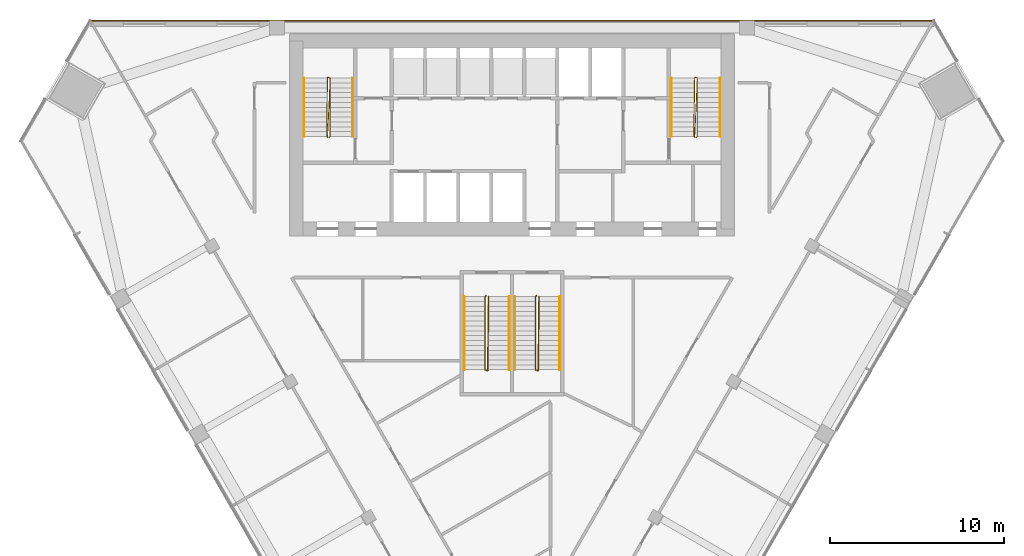
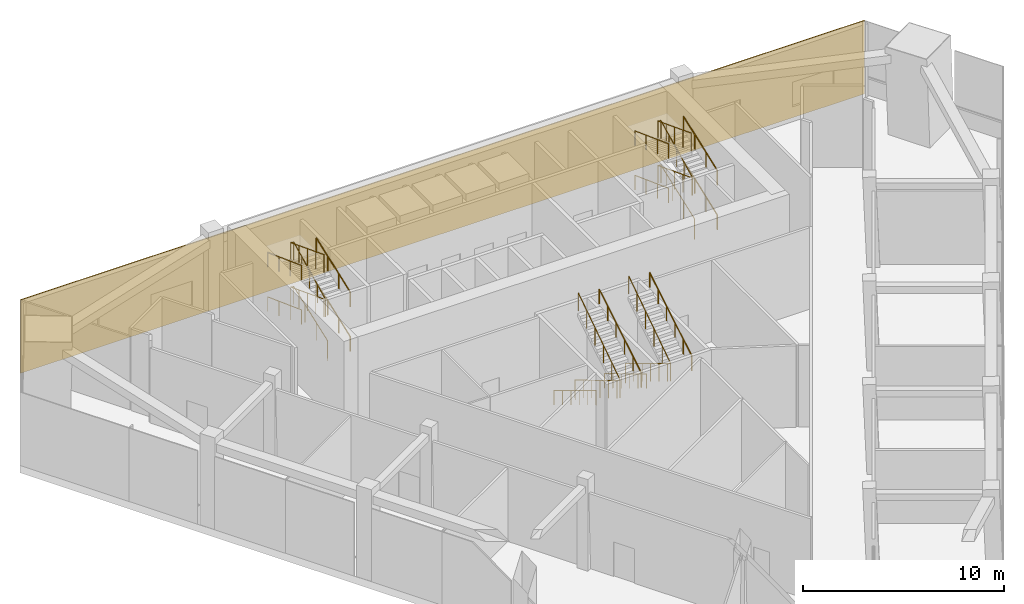
# One storey, part 11 of 12: 16 railings, 1 covering.
"""IFC4 building model written with IfcOpenShell, lengths in metres."""

from ifc_helpers import new_model, si_unit, direction, frame, frame_2d, origin, origin_2d, place, context, subcontext, project, spatial, rectangle, circle, extrude, material, layer, layer_set, type_object, element, save


model = new_model("IFC4")

# Units and contexts
model_context = context("Model", 3, precision=1e-05, world=origin(), true_north=direction((0.0, 1.0)))
body_context = subcontext(model_context, "Body", "Model", "MODEL_VIEW")
ifc_project = project(units=[si_unit("LENGTHUNIT", "METRE"), si_unit("AREAUNIT", "SQUARE_METRE"), si_unit("VOLUMEUNIT", "CUBIC_METRE"), si_unit("PLANEANGLEUNIT", "RADIAN"), si_unit("MASSUNIT", "GRAM", prefix="KILO")], contexts=[model_context])

# Site, building, storey
site_placement = place(None, origin())
site = spatial("IfcSite", under=ifc_project, at=site_placement, CompositionType="ELEMENT")
building_placement = place(site_placement, origin())
building = spatial("IfcBuilding", under=site, at=building_placement, Name="Altiplano Prism Tower", CompositionType="ELEMENT")
storey_placement = place(building_placement, frame((0.0, 0.0, 118.800048828125)))
storey = spatial("IfcBuildingStorey", under=building, at=storey_placement, Name="L30", CompositionType="ELEMENT", Elevation=118.800048828125)

# Railings
ifc_material_1 = material(Name="Steel S355", Category="steel")
railing_type_1 = type_object("IfcRailingType", Name="Stair guard 1100", PredefinedType="GUARDRAIL", material=ifc_material_1)
railing_1_placement = place(storey_placement, frame((74.5, 98.25, 0.0)))
element("IfcRailing", 1, at=railing_1_placement, inside=storey, type_object=railing_type_1, Name="L30 ST1 stair guard 1", PredefinedType="GUARDRAIL", context=body_context, shape_type="SweptSolid", body=[
    extrude(circle(Radius=0.02392578125, at=origin_2d()), frame((0.0, 0.0, 1.076171875), z_axis=(0.398471624337, 0.398471624337, 0.826099708992), x_axis=(-0.707106781187, 0.707106781187, 0.0)), (0.0, 0.0, 1.0), 0.12548828125),
    extrude(circle(Radius=0.02392578125, at=origin_2d()), frame((0.050048828125, 0.050048828125, 1.1796875), z_axis=(0.0, 0.937594165028, 0.347731479313), x_axis=(-1.0, 0.0, 0.0)), (0.0, 0.0, 1.0), 3.58349609375),
    extrude(circle(Radius=0.02392578125, at=origin_2d()), frame((0.050048828125, 3.409912109375, 2.42578125), z_axis=(-0.948683298051, 0.316227766017, 0.0), x_axis=(-0.316227766017, -0.948683298051, 0.0)), (0.0, 0.0, 1.0), 0.158203125),
    extrude(circle(Radius=0.02392578125, at=origin_2d()), frame((-0.10009765625, 3.4599609375, 2.42578125), z_axis=(-0.013578905562, -0.929689088164, 0.368094841952), x_axis=(0.999893351539, -0.01460429897, 0.0)), (0.0, 0.0, 1.0), 3.667724609375),
    extrude(circle(Radius=0.02392578125, at=origin_2d()), frame((-0.14990234375, 0.050048828125, 3.77587890625), z_axis=(0.705375805398, -0.708833529934, 0.0), x_axis=(0.708833529934, 0.705375805398, 0.0)), (0.0, 0.0, 1.0), 0.070556640625),
    extrude(circle(Radius=0.02392578125, at=origin_2d()), frame((-0.10009765625, 0.0, 3.77587890625), z_axis=(0.040905914243, 0.928996592253, 0.367820659781), x_axis=(-0.99903198295, 0.043989737919, 0.0)), (0.0, 0.0, 1.0), 3.670654296875),
    extrude(circle(Radius=0.02392578125, at=origin_2d()), frame((0.050048828125, 3.409912109375, 5.1259765625), z_axis=(-0.948683298051, 0.316227766017, 0.0), x_axis=(-0.316227766017, -0.948683298051, 0.0)), (0.0, 0.0, 1.0), 0.158203125),
    extrude(circle(Radius=0.02392578125, at=origin_2d()), frame((-0.10009765625, 3.4599609375, 5.1259765625), z_axis=(-0.013579238249, -0.929711865806, 0.368037295485), x_axis=(0.999893351539, -0.01460429897, 0.0)), (0.0, 0.0, 1.0), 3.667724609375),
    extrude(circle(Radius=0.02099609375, at=origin_2d()), origin(), (0.0, 0.0, 1.0), 1.052001953125),
    extrude(circle(Radius=0.02099609375, at=origin_2d()), frame((0.050048828125, 0.050048828125, 0.103759765625)), (0.0, 0.0, 1.0), 1.052001953125),
    extrude(circle(Radius=0.02099609375, at=origin_2d()), frame((0.050048828125, 1.169921875, 0.51904296875)), (0.0, 0.0, 1.0), 1.052001953125),
    extrude(circle(Radius=0.02099609375, at=origin_2d()), frame((0.050048828125, 2.2900390625, 0.9345703125)), (0.0, 0.0, 1.0), 1.052001953125),
    extrude(circle(Radius=0.02099609375, at=origin_2d()), frame((0.050048828125, 3.409912109375, 1.349853515625)), (0.0, 0.0, 1.0), 1.052001953125),
    extrude(circle(Radius=0.02099609375, at=origin_2d()), frame((-0.10009765625, 3.4599609375, 1.349853515625)), (0.0, 0.0, 1.0), 1.052001953125),
    extrude(circle(Radius=0.02099609375, at=origin_2d()), frame((-0.112548828125, 2.607421875, 1.6875)), (0.0, 0.0, 1.0), 1.052001953125),
    extrude(circle(Radius=0.02099609375, at=origin_2d()), frame((-0.125, 1.7548828125, 2.02490234375)), (0.0, 0.0, 1.0), 1.052001953125),
    extrude(circle(Radius=0.02099609375, at=origin_2d()), frame((-0.137451171875, 0.902587890625, 2.3623046875)), (0.0, 0.0, 1.0), 1.052001953125),
    extrude(circle(Radius=0.02099609375, at=origin_2d()), frame((-0.14990234375, 0.050048828125, 2.699951171875)), (0.0, 0.0, 1.0), 1.052001953125),
    extrude(circle(Radius=0.02099609375, at=origin_2d()), frame((-0.10009765625, 0.0, 2.699951171875)), (0.0, 0.0, 1.0), 1.052001953125),
    extrude(circle(Radius=0.02099609375, at=origin_2d()), frame((-0.0625, 0.8525390625, 3.03759765625)), (0.0, 0.0, 1.0), 1.052001953125),
    extrude(circle(Radius=0.02099609375, at=origin_2d()), frame((-0.02490234375, 1.705078125, 3.375)), (0.0, 0.0, 1.0), 1.052001953125),
    extrude(circle(Radius=0.02099609375, at=origin_2d()), frame((0.012451171875, 2.557373046875, 3.71240234375)), (0.0, 0.0, 1.0), 1.052001953125),
    extrude(circle(Radius=0.02099609375, at=origin_2d()), frame((0.050048828125, 3.409912109375, 4.050048828125)), (0.0, 0.0, 1.0), 1.052001953125),
    extrude(circle(Radius=0.02099609375, at=origin_2d()), frame((-0.10009765625, 3.4599609375, 4.050048828125)), (0.0, 0.0, 1.0), 1.052001953125),
    extrude(circle(Radius=0.02099609375, at=origin_2d()), frame((-0.112548828125, 2.607421875, 4.387451171875)), (0.0, 0.0, 1.0), 1.052001953125),
    extrude(circle(Radius=0.02099609375, at=origin_2d()), frame((-0.125, 1.7548828125, 4.72509765625)), (0.0, 0.0, 1.0), 1.052001953125),
    extrude(circle(Radius=0.02099609375, at=origin_2d()), frame((-0.137451171875, 0.902587890625, 5.0625)), (0.0, 0.0, 1.0), 1.052001953125),
    extrude(circle(Radius=0.02099609375, at=origin_2d()), frame((-0.14990234375, 0.050048828125, 5.39990234375)), (0.0, 0.0, 1.0), 1.052001953125),
])
railing_2_placement = place(storey_placement, frame((95.60009765625, 98.25, 0.0)))
element("IfcRailing", 2, at=railing_2_placement, inside=storey, type_object=railing_type_1, Name="L30 ST2 stair guard 1", PredefinedType="GUARDRAIL", context=body_context, shape_type="SweptSolid", body=[
    extrude(circle(Radius=0.02392578125, at=origin_2d()), frame((0.0, 0.0, 1.076171875), z_axis=(0.396834591399, 0.398779859004, 0.826738732081), x_axis=(-0.708833529934, 0.705375805398, 0.0)), (0.0, 0.0, 1.0), 0.12548828125),
    extrude(circle(Radius=0.02392578125, at=origin_2d()), frame((0.0498046875, 0.050048828125, 1.1796875), z_axis=(0.0, 0.937594165028, 0.347731479313), x_axis=(-1.0, 0.0, 0.0)), (0.0, 0.0, 1.0), 3.58349609375),
    extrude(circle(Radius=0.02392578125, at=origin_2d()), frame((0.0498046875, 3.409912109375, 2.42578125), z_axis=(-0.948528701346, 0.316691178788, 0.0), x_axis=(-0.316691178788, -0.948528701346, 0.0)), (0.0, 0.0, 1.0), 0.157958984375),
    extrude(circle(Radius=0.02392578125, at=origin_2d()), frame((-0.10009765625, 3.4599609375, 2.42578125), z_axis=(-0.013645456461, -0.929688245801, 0.368094508433), x_axis=(0.999892303572, -0.014675873289, 0.0)), (0.0, 0.0, 1.0), 3.667724609375),
    extrude(circle(Radius=0.02392578125, at=origin_2d()), frame((-0.150146484375, 0.050048828125, 3.77587890625), z_axis=(0.707106781187, -0.707106781187, 0.0), x_axis=(0.707106781187, 0.707106781187, 0.0)), (0.0, 0.0, 1.0), 0.07080078125),
    extrude(circle(Radius=0.02392578125, at=origin_2d()), frame((-0.10009765625, 0.0, 3.77587890625), z_axis=(0.040839511588, 0.928999117825, 0.367821659739), x_axis=(-0.999035123863, 0.043918347967, 0.0)), (0.0, 0.0, 1.0), 3.67041015625),
    extrude(circle(Radius=0.02392578125, at=origin_2d()), frame((0.0498046875, 3.409912109375, 5.1259765625), z_axis=(-0.948528701346, 0.316691178788, 0.0), x_axis=(-0.316691178788, -0.948528701346, 0.0)), (0.0, 0.0, 1.0), 0.157958984375),
    extrude(circle(Radius=0.02392578125, at=origin_2d()), frame((-0.10009765625, 3.4599609375, 5.1259765625), z_axis=(-0.013645790778, -0.92971102338, 0.368036962001), x_axis=(0.999892303572, -0.014675873289, 0.0)), (0.0, 0.0, 1.0), 3.667724609375),
    extrude(circle(Radius=0.02099609375, at=origin_2d()), origin(), (0.0, 0.0, 1.0), 1.052001953125),
    extrude(circle(Radius=0.02099609375, at=origin_2d()), frame((0.0498046875, 0.050048828125, 0.103759765625)), (0.0, 0.0, 1.0), 1.052001953125),
    extrude(circle(Radius=0.02099609375, at=origin_2d()), frame((0.0498046875, 1.169921875, 0.51904296875)), (0.0, 0.0, 1.0), 1.052001953125),
    extrude(circle(Radius=0.02099609375, at=origin_2d()), frame((0.0498046875, 2.2900390625, 0.9345703125)), (0.0, 0.0, 1.0), 1.052001953125),
    extrude(circle(Radius=0.02099609375, at=origin_2d()), frame((0.0498046875, 3.409912109375, 1.349853515625)), (0.0, 0.0, 1.0), 1.052001953125),
    extrude(circle(Radius=0.02099609375, at=origin_2d()), frame((-0.10009765625, 3.4599609375, 1.349853515625)), (0.0, 0.0, 1.0), 1.052001953125),
    extrude(circle(Radius=0.02099609375, at=origin_2d()), frame((-0.112548828125, 2.607421875, 1.6875)), (0.0, 0.0, 1.0), 1.052001953125),
    extrude(circle(Radius=0.02099609375, at=origin_2d()), frame((-0.125, 1.7548828125, 2.02490234375)), (0.0, 0.0, 1.0), 1.052001953125),
    extrude(circle(Radius=0.02099609375, at=origin_2d()), frame((-0.1376953125, 0.902587890625, 2.3623046875)), (0.0, 0.0, 1.0), 1.052001953125),
    extrude(circle(Radius=0.02099609375, at=origin_2d()), frame((-0.150146484375, 0.050048828125, 2.699951171875)), (0.0, 0.0, 1.0), 1.052001953125),
    extrude(circle(Radius=0.02099609375, at=origin_2d()), frame((-0.10009765625, 0.0, 2.699951171875)), (0.0, 0.0, 1.0), 1.052001953125),
    extrude(circle(Radius=0.02099609375, at=origin_2d()), frame((-0.0625, 0.8525390625, 3.03759765625)), (0.0, 0.0, 1.0), 1.052001953125),
    extrude(circle(Radius=0.02099609375, at=origin_2d()), frame((-0.025146484375, 1.705078125, 3.375)), (0.0, 0.0, 1.0), 1.052001953125),
    extrude(circle(Radius=0.02099609375, at=origin_2d()), frame((0.01220703125, 2.557373046875, 3.71240234375)), (0.0, 0.0, 1.0), 1.052001953125),
    extrude(circle(Radius=0.02099609375, at=origin_2d()), frame((0.0498046875, 3.409912109375, 4.050048828125)), (0.0, 0.0, 1.0), 1.052001953125),
    extrude(circle(Radius=0.02099609375, at=origin_2d()), frame((-0.10009765625, 3.4599609375, 4.050048828125)), (0.0, 0.0, 1.0), 1.052001953125),
    extrude(circle(Radius=0.02099609375, at=origin_2d()), frame((-0.112548828125, 2.607421875, 4.387451171875)), (0.0, 0.0, 1.0), 1.052001953125),
    extrude(circle(Radius=0.02099609375, at=origin_2d()), frame((-0.125, 1.7548828125, 4.72509765625)), (0.0, 0.0, 1.0), 1.052001953125),
    extrude(circle(Radius=0.02099609375, at=origin_2d()), frame((-0.1376953125, 0.902587890625, 5.0625)), (0.0, 0.0, 1.0), 1.052001953125),
    extrude(circle(Radius=0.02099609375, at=origin_2d()), frame((-0.150146484375, 0.050048828125, 5.39990234375)), (0.0, 0.0, 1.0), 1.052001953125),
])
railing_3_placement = place(storey_placement, frame((83.5, 89.14990234375, 0.0)))
element("IfcRailing", 3, at=railing_3_placement, inside=storey, type_object=railing_type_1, Name="L30 ST3A stair guard 1", PredefinedType="GUARDRAIL", context=body_context, shape_type="SweptSolid", body=[
    extrude(circle(Radius=0.02392578125, at=origin_2d()), frame((0.0, 0.0, 1.076171875), z_axis=(-0.273668752699, -0.272333783174, 0.922463942026), x_axis=(0.705375805398, -0.708833529934, 0.0)), (0.0, 0.0, 1.0), 0.182861328125),
    extrude(circle(Radius=0.02392578125, at=origin_2d()), frame((-0.050048828125, -0.0498046875, 1.24462890625), z_axis=(0.0, -0.856489757249, 0.516164020179), x_axis=(1.0, 0.0, 0.0)), (0.0, 0.0, 1.0), 4.904052734375),
    extrude(circle(Radius=0.02392578125, at=origin_2d()), frame((-0.050048828125, -4.25, 3.77587890625), z_axis=(0.949145278916, -0.314838433982, 0.0), x_axis=(0.314838433982, 0.949145278916, 0.0)), (0.0, 0.0, 1.0), 0.158203125),
    extrude(circle(Radius=0.02392578125, at=origin_2d()), frame((0.10009765625, -4.2998046875, 3.77587890625), z_axis=(0.009891014468, 0.844033234581, 0.536199651955), x_axis=(-0.999931342521, 0.01171794542, 0.0)), (0.0, 0.0, 1.0), 5.035400390625),
    extrude(circle(Radius=0.02099609375, at=origin_2d()), origin(), (0.0, 0.0, 1.0), 1.052001953125),
    extrude(circle(Radius=0.02099609375, at=origin_2d()), frame((-0.050048828125, -0.0498046875, 0.168701171875)), (0.0, 0.0, 1.0), 1.052001953125),
    extrude(circle(Radius=0.02099609375, at=origin_2d()), frame((-0.050048828125, -0.889892578125, 0.675048828125)), (0.0, 0.0, 1.0), 1.052001953125),
    extrude(circle(Radius=0.02099609375, at=origin_2d()), frame((-0.050048828125, -1.72998046875, 1.18115234375)), (0.0, 0.0, 1.0), 1.052001953125),
    extrude(circle(Radius=0.02099609375, at=origin_2d()), frame((-0.050048828125, -2.56982421875, 1.6875)), (0.0, 0.0, 1.0), 1.052001953125),
    extrude(circle(Radius=0.02099609375, at=origin_2d()), frame((-0.050048828125, -3.409912109375, 2.193603515625)), (0.0, 0.0, 1.0), 1.052001953125),
    extrude(circle(Radius=0.02099609375, at=origin_2d()), frame((-0.050048828125, -4.25, 2.699951171875)), (0.0, 0.0, 1.0), 1.052001953125),
    extrude(circle(Radius=0.02099609375, at=origin_2d()), frame((0.10009765625, -4.2998046875, 2.699951171875)), (0.0, 0.0, 1.0), 1.052001953125),
    extrude(circle(Radius=0.02099609375, at=origin_2d()), frame((0.110107421875, -3.44970703125, 3.239990234375)), (0.0, 0.0, 1.0), 1.052001953125),
    extrude(circle(Radius=0.02099609375, at=origin_2d()), frame((0.1201171875, -2.599853515625, 3.780029296875)), (0.0, 0.0, 1.0), 1.052001953125),
    extrude(circle(Radius=0.02099609375, at=origin_2d()), frame((0.1298828125, -1.749755859375, 4.31982421875)), (0.0, 0.0, 1.0), 1.052001953125),
    extrude(circle(Radius=0.02099609375, at=origin_2d()), frame((0.139892578125, -0.89990234375, 4.85986328125)), (0.0, 0.0, 1.0), 1.052001953125),
    extrude(circle(Radius=0.02099609375, at=origin_2d()), frame((0.14990234375, -0.0498046875, 5.39990234375)), (0.0, 0.0, 1.0), 1.052001953125),
])
railing_4_placement = place(storey_placement, frame((86.39990234375, 89.14990234375, 0.0)))
element("IfcRailing", 4, at=railing_4_placement, inside=storey, type_object=railing_type_1, Name="L30 ST3B stair guard 1", PredefinedType="GUARDRAIL", context=body_context, shape_type="SweptSolid", body=[
    extrude(circle(Radius=0.02392578125, at=origin_2d()), frame((0.0, 0.0, 1.076171875), z_axis=(-0.272433089069, -0.272433089069, 0.922800316407), x_axis=(0.707106781187, -0.707106781187, 0.0)), (0.0, 0.0, 1.0), 0.182861328125),
    extrude(circle(Radius=0.02392578125, at=origin_2d()), frame((-0.0498046875, -0.0498046875, 1.24462890625), z_axis=(0.0, -0.856489757249, 0.516164020179), x_axis=(1.0, 0.0, 0.0)), (0.0, 0.0, 1.0), 4.904052734375),
    extrude(circle(Radius=0.02392578125, at=origin_2d()), frame((-0.0498046875, -4.25, 3.77587890625), z_axis=(0.948991962702, -0.315300261223, 0.0), x_axis=(0.315300261223, 0.948991962702, 0.0)), (0.0, 0.0, 1.0), 0.157958984375),
    extrude(circle(Radius=0.02392578125, at=origin_2d()), frame((0.10009765625, -4.2998046875, 3.77587890625), z_axis=(0.009939495054, 0.844032828816, 0.53619939418), x_axis=(-0.999930667828, 0.011775378384, 0.0)), (0.0, 0.0, 1.0), 5.035400390625),
    extrude(circle(Radius=0.02099609375, at=origin_2d()), origin(), (0.0, 0.0, 1.0), 1.052001953125),
    extrude(circle(Radius=0.02099609375, at=origin_2d()), frame((-0.0498046875, -0.0498046875, 0.168701171875)), (0.0, 0.0, 1.0), 1.052001953125),
    extrude(circle(Radius=0.02099609375, at=origin_2d()), frame((-0.0498046875, -0.889892578125, 0.675048828125)), (0.0, 0.0, 1.0), 1.052001953125),
    extrude(circle(Radius=0.02099609375, at=origin_2d()), frame((-0.0498046875, -1.72998046875, 1.18115234375)), (0.0, 0.0, 1.0), 1.052001953125),
    extrude(circle(Radius=0.02099609375, at=origin_2d()), frame((-0.0498046875, -2.56982421875, 1.6875)), (0.0, 0.0, 1.0), 1.052001953125),
    extrude(circle(Radius=0.02099609375, at=origin_2d()), frame((-0.0498046875, -3.409912109375, 2.193603515625)), (0.0, 0.0, 1.0), 1.052001953125),
    extrude(circle(Radius=0.02099609375, at=origin_2d()), frame((-0.0498046875, -4.25, 2.699951171875)), (0.0, 0.0, 1.0), 1.052001953125),
    extrude(circle(Radius=0.02099609375, at=origin_2d()), frame((0.10009765625, -4.2998046875, 2.699951171875)), (0.0, 0.0, 1.0), 1.052001953125),
    extrude(circle(Radius=0.02099609375, at=origin_2d()), frame((0.110107421875, -3.44970703125, 3.239990234375)), (0.0, 0.0, 1.0), 1.052001953125),
    extrude(circle(Radius=0.02099609375, at=origin_2d()), frame((0.1201171875, -2.599853515625, 3.780029296875)), (0.0, 0.0, 1.0), 1.052001953125),
    extrude(circle(Radius=0.02099609375, at=origin_2d()), frame((0.130126953125, -1.749755859375, 4.31982421875)), (0.0, 0.0, 1.0), 1.052001953125),
    extrude(circle(Radius=0.02099609375, at=origin_2d()), frame((0.14013671875, -0.89990234375, 4.85986328125)), (0.0, 0.0, 1.0), 1.052001953125),
    extrude(circle(Radius=0.02099609375, at=origin_2d()), frame((0.150146484375, -0.0498046875, 5.39990234375)), (0.0, 0.0, 1.0), 1.052001953125),
])
railing_type_2 = type_object("IfcRailingType", Name="Stair handrail 900", PredefinedType="HANDRAIL", material=ifc_material_1)
railing_5_placement = place(storey_placement, frame((75.85009765625, 98.300048828125, 0.103759765625)))
element("IfcRailing", 5, at=railing_5_placement, inside=storey, type_object=railing_type_2, Name="L30 ST1 stair handrail 1", PredefinedType="HANDRAIL", context=body_context, shape_type="SweptSolid", body=[
    extrude(circle(Radius=0.02392578125, at=origin_2d()), frame((0.0, 0.0, 0.8759765625), z_axis=(0.0, 0.937594165028, 0.347731479313), x_axis=(-1.0, 0.0, 0.0)), (0.0, 0.0, 1.0), 3.58349609375),
    extrude(circle(Radius=0.02099609375, at=origin_2d()), origin(), (0.0, 0.0, 1.0), 0.851806640625),
    extrude(circle(Radius=0.02099609375, at=origin_2d()), frame((0.0, 1.119873046875, 0.415283203125)), (0.0, 0.0, 1.0), 0.851806640625),
    extrude(circle(Radius=0.02099609375, at=origin_2d()), frame((0.0, 2.239990234375, 0.830810546875)), (0.0, 0.0, 1.0), 0.851806640625),
    extrude(circle(Radius=0.02099609375, at=origin_2d()), frame((0.0, 3.35986328125, 1.24609375)), (0.0, 0.0, 1.0), 0.851806640625),
])
railing_6_placement = place(storey_placement, frame((73.050048828125, 101.659912109375, 1.453857421875)))
element("IfcRailing", 6, at=railing_6_placement, inside=storey, type_object=railing_type_2, Name="L30 ST1 stair handrail 2", PredefinedType="HANDRAIL", context=body_context, shape_type="SweptSolid", body=[
    extrude(circle(Radius=0.02392578125, at=origin_2d()), frame((0.0, 0.0, 0.8759765625), z_axis=(0.0, -0.937594165028, 0.347731479313), x_axis=(1.0, 0.0, 0.0)), (0.0, 0.0, 1.0), 3.58349609375),
    extrude(circle(Radius=0.02099609375, at=origin_2d()), origin(), (0.0, 0.0, 1.0), 0.851806640625),
    extrude(circle(Radius=0.02099609375, at=origin_2d()), frame((0.0, -1.119873046875, 0.415283203125)), (0.0, 0.0, 1.0), 0.851806640625),
    extrude(circle(Radius=0.02099609375, at=origin_2d()), frame((0.0, -2.239990234375, 0.830810546875)), (0.0, 0.0, 1.0), 0.851806640625),
    extrude(circle(Radius=0.02099609375, at=origin_2d()), frame((0.0, -3.35986328125, 1.24609375)), (0.0, 0.0, 1.0), 0.851806640625),
])
railing_7_placement = place(storey_placement, frame((75.85009765625, 98.300048828125, 2.8037109375)))
element("IfcRailing", 7, at=railing_7_placement, inside=storey, type_object=railing_type_2, Name="L30 ST1 stair handrail 3", PredefinedType="HANDRAIL", context=body_context, shape_type="SweptSolid", body=[
    extrude(circle(Radius=0.02392578125, at=origin_2d()), frame((0.0, 0.0, 0.8759765625), z_axis=(0.0, 0.937571951407, 0.347791368401), x_axis=(-1.0, 0.0, 0.0)), (0.0, 0.0, 1.0), 3.58349609375),
    extrude(circle(Radius=0.02099609375, at=origin_2d()), origin(), (0.0, 0.0, 1.0), 0.851806640625),
    extrude(circle(Radius=0.02099609375, at=origin_2d()), frame((0.0, 1.119873046875, 0.41552734375)), (0.0, 0.0, 1.0), 0.851806640625),
    extrude(circle(Radius=0.02099609375, at=origin_2d()), frame((0.0, 2.239990234375, 0.830810546875)), (0.0, 0.0, 1.0), 0.851806640625),
    extrude(circle(Radius=0.02099609375, at=origin_2d()), frame((0.0, 3.35986328125, 1.246337890625)), (0.0, 0.0, 1.0), 0.851806640625),
])
railing_8_placement = place(storey_placement, frame((73.050048828125, 101.659912109375, 4.15380859375)))
element("IfcRailing", 8, at=railing_8_placement, inside=storey, type_object=railing_type_2, Name="L30 ST1 stair handrail 4", PredefinedType="HANDRAIL", context=body_context, shape_type="SweptSolid", body=[
    extrude(circle(Radius=0.02392578125, at=origin_2d()), frame((0.0, 0.0, 0.8759765625), z_axis=(0.0, -0.937594165028, 0.347731479313), x_axis=(1.0, 0.0, 0.0)), (0.0, 0.0, 1.0), 3.58349609375),
    extrude(circle(Radius=0.02099609375, at=origin_2d()), origin(), (0.0, 0.0, 1.0), 0.851806640625),
    extrude(circle(Radius=0.02099609375, at=origin_2d()), frame((0.0, -1.119873046875, 0.415283203125)), (0.0, 0.0, 1.0), 0.851806640625),
    extrude(circle(Radius=0.02099609375, at=origin_2d()), frame((0.0, -2.239990234375, 0.830810546875)), (0.0, 0.0, 1.0), 0.851806640625),
    extrude(circle(Radius=0.02099609375, at=origin_2d()), frame((0.0, -3.35986328125, 1.24609375)), (0.0, 0.0, 1.0), 0.851806640625),
])
railing_9_placement = place(storey_placement, frame((96.949951171875, 98.300048828125, 0.103759765625)))
element("IfcRailing", 9, at=railing_9_placement, inside=storey, type_object=railing_type_2, Name="L30 ST2 stair handrail 1", PredefinedType="HANDRAIL", context=body_context, shape_type="SweptSolid", body=[
    extrude(circle(Radius=0.02392578125, at=origin_2d()), frame((0.0, 0.0, 0.8759765625), z_axis=(0.0, 0.937594165028, 0.347731479313), x_axis=(-1.0, 0.0, 0.0)), (0.0, 0.0, 1.0), 3.58349609375),
    extrude(circle(Radius=0.02099609375, at=origin_2d()), origin(), (0.0, 0.0, 1.0), 0.851806640625),
    extrude(circle(Radius=0.02099609375, at=origin_2d()), frame((0.0, 1.119873046875, 0.415283203125)), (0.0, 0.0, 1.0), 0.851806640625),
    extrude(circle(Radius=0.02099609375, at=origin_2d()), frame((0.0, 2.239990234375, 0.830810546875)), (0.0, 0.0, 1.0), 0.851806640625),
    extrude(circle(Radius=0.02099609375, at=origin_2d()), frame((0.0, 3.35986328125, 1.24609375)), (0.0, 0.0, 1.0), 0.851806640625),
])
railing_10_placement = place(storey_placement, frame((94.14990234375, 101.659912109375, 1.453857421875)))
element("IfcRailing", 10, at=railing_10_placement, inside=storey, type_object=railing_type_2, Name="L30 ST2 stair handrail 2", PredefinedType="HANDRAIL", context=body_context, shape_type="SweptSolid", body=[
    extrude(circle(Radius=0.02392578125, at=origin_2d()), frame((0.0, 0.0, 0.8759765625), z_axis=(0.0, -0.937594165028, 0.347731479313), x_axis=(1.0, 0.0, 0.0)), (0.0, 0.0, 1.0), 3.58349609375),
    extrude(circle(Radius=0.02099609375, at=origin_2d()), origin(), (0.0, 0.0, 1.0), 0.851806640625),
    extrude(circle(Radius=0.02099609375, at=origin_2d()), frame((0.0, -1.119873046875, 0.415283203125)), (0.0, 0.0, 1.0), 0.851806640625),
    extrude(circle(Radius=0.02099609375, at=origin_2d()), frame((0.0, -2.239990234375, 0.830810546875)), (0.0, 0.0, 1.0), 0.851806640625),
    extrude(circle(Radius=0.02099609375, at=origin_2d()), frame((0.0, -3.35986328125, 1.24609375)), (0.0, 0.0, 1.0), 0.851806640625),
])
railing_11_placement = place(storey_placement, frame((96.949951171875, 98.300048828125, 2.8037109375)))
element("IfcRailing", 11, at=railing_11_placement, inside=storey, type_object=railing_type_2, Name="L30 ST2 stair handrail 3", PredefinedType="HANDRAIL", context=body_context, shape_type="SweptSolid", body=[
    extrude(circle(Radius=0.02392578125, at=origin_2d()), frame((0.0, 0.0, 0.8759765625), z_axis=(0.0, 0.937571951407, 0.347791368401), x_axis=(-1.0, 0.0, 0.0)), (0.0, 0.0, 1.0), 3.58349609375),
    extrude(circle(Radius=0.02099609375, at=origin_2d()), origin(), (0.0, 0.0, 1.0), 0.851806640625),
    extrude(circle(Radius=0.02099609375, at=origin_2d()), frame((0.0, 1.119873046875, 0.41552734375)), (0.0, 0.0, 1.0), 0.851806640625),
    extrude(circle(Radius=0.02099609375, at=origin_2d()), frame((0.0, 2.239990234375, 0.830810546875)), (0.0, 0.0, 1.0), 0.851806640625),
    extrude(circle(Radius=0.02099609375, at=origin_2d()), frame((0.0, 3.35986328125, 1.246337890625)), (0.0, 0.0, 1.0), 0.851806640625),
])
railing_12_placement = place(storey_placement, frame((94.14990234375, 101.659912109375, 4.15380859375)))
element("IfcRailing", 12, at=railing_12_placement, inside=storey, type_object=railing_type_2, Name="L30 ST2 stair handrail 4", PredefinedType="HANDRAIL", context=body_context, shape_type="SweptSolid", body=[
    extrude(circle(Radius=0.02392578125, at=origin_2d()), frame((0.0, 0.0, 0.8759765625), z_axis=(0.0, -0.937594165028, 0.347731479313), x_axis=(1.0, 0.0, 0.0)), (0.0, 0.0, 1.0), 3.58349609375),
    extrude(circle(Radius=0.02099609375, at=origin_2d()), origin(), (0.0, 0.0, 1.0), 0.851806640625),
    extrude(circle(Radius=0.02099609375, at=origin_2d()), frame((0.0, -1.119873046875, 0.415283203125)), (0.0, 0.0, 1.0), 0.851806640625),
    extrude(circle(Radius=0.02099609375, at=origin_2d()), frame((0.0, -2.239990234375, 0.830810546875)), (0.0, 0.0, 1.0), 0.851806640625),
    extrude(circle(Radius=0.02099609375, at=origin_2d()), frame((0.0, -3.35986328125, 1.24609375)), (0.0, 0.0, 1.0), 0.851806640625),
])
railing_13_placement = place(storey_placement, frame((82.25, 89.10009765625, 0.168701171875)))
element("IfcRailing", 13, at=railing_13_placement, inside=storey, type_object=railing_type_2, Name="L30 ST3A stair handrail 1", PredefinedType="HANDRAIL", context=body_context, shape_type="SweptSolid", body=[
    extrude(circle(Radius=0.02392578125, at=origin_2d()), frame((0.0, 0.0, 0.8759765625), z_axis=(0.0, -0.856489757249, 0.516164020179), x_axis=(1.0, 0.0, 0.0)), (0.0, 0.0, 1.0), 4.904052734375),
    extrude(circle(Radius=0.02099609375, at=origin_2d()), origin(), (0.0, 0.0, 1.0), 0.851806640625),
    extrude(circle(Radius=0.02099609375, at=origin_2d()), frame((0.0, -0.840087890625, 0.50634765625)), (0.0, 0.0, 1.0), 0.851806640625),
    extrude(circle(Radius=0.02099609375, at=origin_2d()), frame((0.0, -1.68017578125, 1.012451171875)), (0.0, 0.0, 1.0), 0.851806640625),
    extrude(circle(Radius=0.02099609375, at=origin_2d()), frame((0.0, -2.52001953125, 1.518798828125)), (0.0, 0.0, 1.0), 0.851806640625),
    extrude(circle(Radius=0.02099609375, at=origin_2d()), frame((0.0, -3.360107421875, 2.02490234375)), (0.0, 0.0, 1.0), 0.851806640625),
    extrude(circle(Radius=0.02099609375, at=origin_2d()), frame((0.0, -4.2001953125, 2.53125)), (0.0, 0.0, 1.0), 0.851806640625),
])
railing_14_placement = place(storey_placement, frame((84.85009765625, 84.89990234375, 2.86865234375)))
element("IfcRailing", 14, at=railing_14_placement, inside=storey, type_object=railing_type_2, Name="L30 ST3A stair handrail 2", PredefinedType="HANDRAIL", context=body_context, shape_type="SweptSolid", body=[
    extrude(circle(Radius=0.02392578125, at=origin_2d()), frame((0.0, 0.0, 0.8759765625), z_axis=(0.0, 0.856489757249, 0.516164020179), x_axis=(-1.0, 0.0, 0.0)), (0.0, 0.0, 1.0), 4.904052734375),
    extrude(circle(Radius=0.02099609375, at=origin_2d()), origin(), (0.0, 0.0, 1.0), 0.851806640625),
    extrude(circle(Radius=0.02099609375, at=origin_2d()), frame((0.0, 0.840087890625, 0.50634765625)), (0.0, 0.0, 1.0), 0.851806640625),
    extrude(circle(Radius=0.02099609375, at=origin_2d()), frame((0.0, 1.68017578125, 1.012451171875)), (0.0, 0.0, 1.0), 0.851806640625),
    extrude(circle(Radius=0.02099609375, at=origin_2d()), frame((0.0, 2.52001953125, 1.518798828125)), (0.0, 0.0, 1.0), 0.851806640625),
    extrude(circle(Radius=0.02099609375, at=origin_2d()), frame((0.0, 3.360107421875, 2.02490234375)), (0.0, 0.0, 1.0), 0.851806640625),
    extrude(circle(Radius=0.02099609375, at=origin_2d()), frame((0.0, 4.2001953125, 2.53125)), (0.0, 0.0, 1.0), 0.851806640625),
])
railing_15_placement = place(storey_placement, frame((85.14990234375, 89.10009765625, 0.168701171875)))
element("IfcRailing", 15, at=railing_15_placement, inside=storey, type_object=railing_type_2, Name="L30 ST3B stair handrail 1", PredefinedType="HANDRAIL", context=body_context, shape_type="SweptSolid", body=[
    extrude(circle(Radius=0.02392578125, at=origin_2d()), frame((0.0, 0.0, 0.8759765625), z_axis=(0.0, -0.856489757249, 0.516164020179), x_axis=(1.0, 0.0, 0.0)), (0.0, 0.0, 1.0), 4.904052734375),
    extrude(circle(Radius=0.02099609375, at=origin_2d()), origin(), (0.0, 0.0, 1.0), 0.851806640625),
    extrude(circle(Radius=0.02099609375, at=origin_2d()), frame((0.0, -0.840087890625, 0.50634765625)), (0.0, 0.0, 1.0), 0.851806640625),
    extrude(circle(Radius=0.02099609375, at=origin_2d()), frame((0.0, -1.68017578125, 1.012451171875)), (0.0, 0.0, 1.0), 0.851806640625),
    extrude(circle(Radius=0.02099609375, at=origin_2d()), frame((0.0, -2.52001953125, 1.518798828125)), (0.0, 0.0, 1.0), 0.851806640625),
    extrude(circle(Radius=0.02099609375, at=origin_2d()), frame((0.0, -3.360107421875, 2.02490234375)), (0.0, 0.0, 1.0), 0.851806640625),
    extrude(circle(Radius=0.02099609375, at=origin_2d()), frame((0.0, -4.2001953125, 2.53125)), (0.0, 0.0, 1.0), 0.851806640625),
])
railing_16_placement = place(storey_placement, frame((87.75, 84.89990234375, 2.86865234375)))
element("IfcRailing", 16, at=railing_16_placement, inside=storey, type_object=railing_type_2, Name="L30 ST3B stair handrail 2", PredefinedType="HANDRAIL", context=body_context, shape_type="SweptSolid", body=[
    extrude(circle(Radius=0.02392578125, at=origin_2d()), frame((0.0, 0.0, 0.8759765625), z_axis=(0.0, 0.856489757249, 0.516164020179), x_axis=(-1.0, 0.0, 0.0)), (0.0, 0.0, 1.0), 4.904052734375),
    extrude(circle(Radius=0.02099609375, at=origin_2d()), origin(), (0.0, 0.0, 1.0), 0.851806640625),
    extrude(circle(Radius=0.02099609375, at=origin_2d()), frame((0.0, 0.840087890625, 0.50634765625)), (0.0, 0.0, 1.0), 0.851806640625),
    extrude(circle(Radius=0.02099609375, at=origin_2d()), frame((0.0, 1.68017578125, 1.012451171875)), (0.0, 0.0, 1.0), 0.851806640625),
    extrude(circle(Radius=0.02099609375, at=origin_2d()), frame((0.0, 2.52001953125, 1.518798828125)), (0.0, 0.0, 1.0), 0.851806640625),
    extrude(circle(Radius=0.02099609375, at=origin_2d()), frame((0.0, 3.360107421875, 2.02490234375)), (0.0, 0.0, 1.0), 0.851806640625),
    extrude(circle(Radius=0.02099609375, at=origin_2d()), frame((0.0, 4.2001953125, 2.53125)), (0.0, 0.0, 1.0), 0.851806640625),
])

# Covering
ifc_material_2 = material(Name="Warm limestone cast stone", Category="masonry")
ifc_layer = layer(ifc_material_2, 0.06005859375)
ifc_layer_set = layer_set([ifc_layer], Name="Warm limestone cast stone")
covering_type = type_object("IfcCoveringType", Name="Stone cladding 60", PredefinedType="CLADDING", material=ifc_layer_set)
covering_placement = place(storey_placement, frame((60.74365234375, 104.969970703125, 0.0), z_axis=(0.0, 0.0, 1.0), x_axis=(1.0, 0.0, 0.0)))
element("IfcCovering", 17, at=covering_placement, inside=storey, type_object=covering_type, Name="Stone cladding north face L30", PredefinedType="CLADDING", context=body_context, shape_type="SweptSolid", body=[
    extrude(rectangle(XDim=48.5126953125, YDim=0.06005859375, at=frame_2d((24.25634765625, 0.0))), origin(), (0.0, 0.0, 1.0), 4.449951171875),
])

save(model, "model.ifc")
